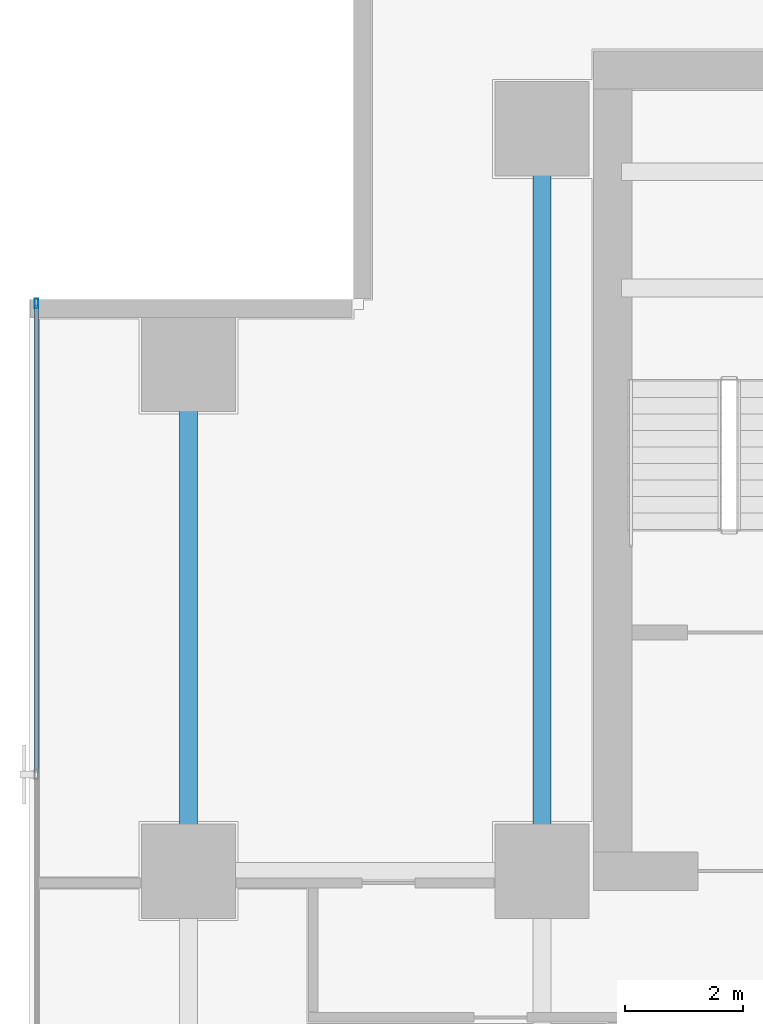
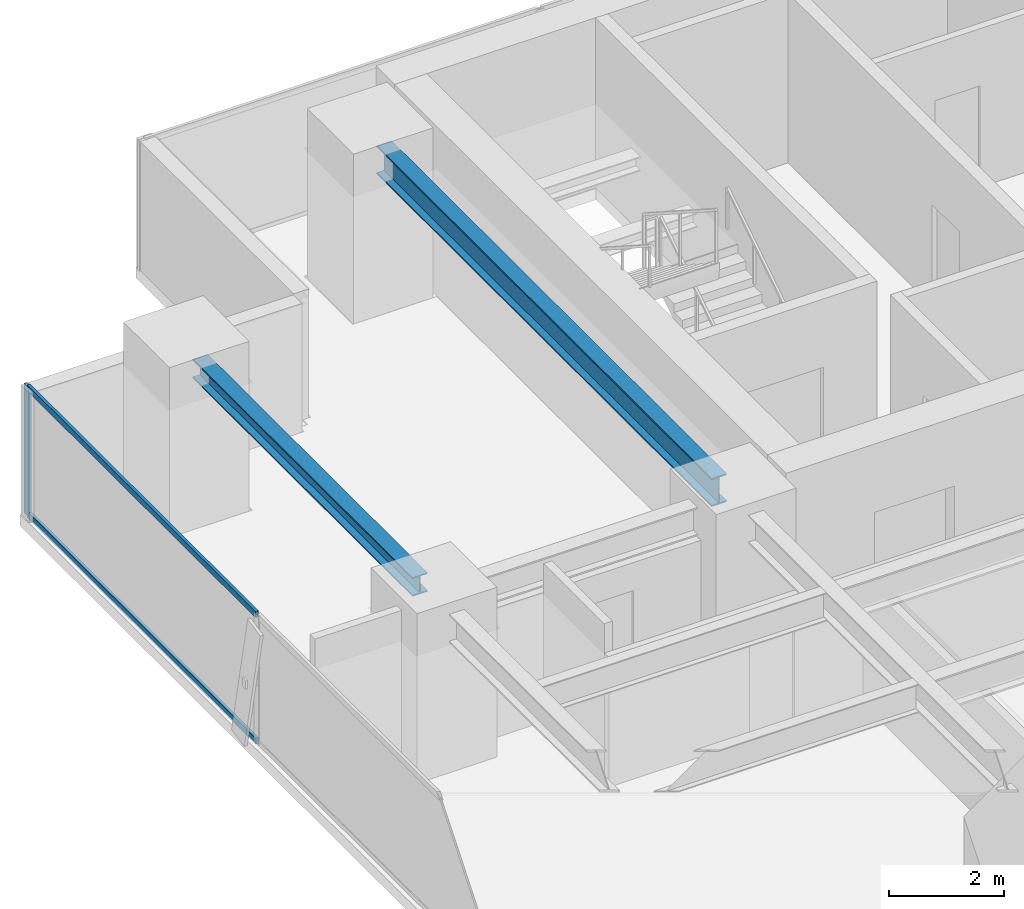
# One storey, part 18 of 34: 3 members, 2 beams, 1 element without a shape of its own.
"""IFC4 building model written with IfcOpenShell, lengths in metres."""

from ifc_helpers import new_model, si_unit, direction, frame, origin, origin_2d, place, context, subcontext, project, spatial, hollow_rectangle, i_section, extrude, source, transform, mapped, material, layer, layer_set, material_profile, profile_set, type_object, element, aggregate, save


model = new_model("IFC4")

# Units and contexts
model_context = context("Model", 3, precision=1e-05, world=origin(), true_north=direction((0.0, 1.0)))
body_context = subcontext(model_context, "Body", "Model", "MODEL_VIEW")
ifc_project = project(units=[si_unit("LENGTHUNIT", "METRE"), si_unit("AREAUNIT", "SQUARE_METRE"), si_unit("VOLUMEUNIT", "CUBIC_METRE"), si_unit("PLANEANGLEUNIT", "RADIAN"), si_unit("MASSUNIT", "GRAM", prefix="KILO")], contexts=[model_context])

# Site, building, storey
site_placement = place(None, origin())
site = spatial("IfcSite", under=ifc_project, at=site_placement, CompositionType="ELEMENT")
building_placement = place(site_placement, origin())
building = spatial("IfcBuilding", under=site, at=building_placement, Name="Sumidabori Civic Tower", CompositionType="ELEMENT")
storey_placement = place(building_placement, frame((0.0, 0.0, 106.39990234375)))
storey = spatial("IfcBuildingStorey", under=building, at=storey_placement, Name="L27", CompositionType="ELEMENT", Elevation=106.39990234375)

# Beams
ifc_material_1 = material(Name="Steel SN490", Category="steel")
ifc_material_profile_1 = material_profile(ifc_material_1, i_section(OverallWidth=0.300048828125, OverallDepth=0.39990234375, WebThickness=0.013427734375, FlangeThickness=0.02392578125, at=origin_2d()), Name="HE 400 B")
ifc_profile_set_1 = profile_set([ifc_material_profile_1], Name="Steel SN490")
beam_type_1 = type_object("IfcBeamType", Name="BM-GIRD-400", PredefinedType="BEAM", material=ifc_profile_set_1)
shared_shape_1 = source(origin(), body_context, "Body", "SweptSolid", [
    extrude(i_section(OverallWidth=0.300048828125, OverallDepth=0.39990234375, WebThickness=0.013427734375, FlangeThickness=0.02392578125, at=origin_2d()), origin(), (0.0, 0.0, 1.0), 7.64013671875),
])
beam_1_placement = place(storey_placement, frame((-22.800048828125, 10.679931640625, 3.16015625), z_axis=(0.0, 1.0, 0.0), x_axis=(-1.0, 0.0, 0.0)))
element("IfcBeam", 1, at=beam_1_placement, inside=storey, type_object=beam_type_1, Name="Primary Girder L27 GY-24", PredefinedType="BEAM", context=body_context, shape_type="MappedRepresentation", body=[
    mapped(shared_shape_1, transform((0.0, 0.0, 0.0), x_axis=(1.0, 0.0, 0.0), y_axis=(0.0, 1.0, 0.0), z_axis=(0.0, 0.0, 1.0), scale=1.0)),
])
ifc_material_profile_2 = material_profile(ifc_material_1, i_section(OverallWidth=0.300048828125, OverallDepth=0.60009765625, WebThickness=0.015380859375, FlangeThickness=0.030029296875, at=origin_2d()), Name="HE 600 B")
ifc_profile_set_2 = profile_set([ifc_material_profile_2], Name="Steel SN490")
beam_type_2 = type_object("IfcBeamType", Name="BM-GIRD-600", PredefinedType="BEAM", material=ifc_profile_set_2)
shared_shape_2 = source(origin(), body_context, "Body", "SweptSolid", [
    extrude(i_section(OverallWidth=0.300048828125, OverallDepth=0.60009765625, WebThickness=0.015380859375, FlangeThickness=0.030029296875, at=origin_2d()), origin(), (0.0, 0.0, 1.0), 11.64013671875),
])
beam_2_placement = place(storey_placement, frame((-16.800048828125, 10.679931640625, 3.06005859375), z_axis=(0.0, 1.0, 0.0), x_axis=(-1.0, 0.0, 0.0)))
element("IfcBeam", 2, at=beam_2_placement, inside=storey, type_object=beam_type_2, Name="Primary Girder L27 GY-28", PredefinedType="BEAM", context=body_context, shape_type="MappedRepresentation", body=[
    mapped(shared_shape_2, transform((0.0, 0.0, 0.0), x_axis=(1.0, 0.0, 0.0), y_axis=(0.0, 1.0, 0.0), z_axis=(0.0, 0.0, 1.0), scale=1.0)),
])

# Curtain wall, members
ifc_material_2 = material(Name="Anodised Bronze Aluminium AW-6063-T6", Category="aluminium")
ifc_layer = layer(ifc_material_2, 0.179931640625, Name="Anodised Bronze Aluminium AW-6063-T6")
ifc_layer_set = layer_set([ifc_layer], Name="Anodised Bronze Aluminium AW-6063-T6")
curtain_wall_type = type_object("IfcCurtainWallType", Name="CW-SYS-3", PredefinedType="NOTDEFINED", material=ifc_layer_set)
curtain_wall_placement = place(storey_placement, origin())
curtain_wall = element("IfcCurtainWall", 3, at=curtain_wall_placement, inside=storey, type_object=curtain_wall_type, Name="Curtain Wall CW:L27:R10", PredefinedType="NOTDEFINED")
ifc_material_profile_3 = material_profile(ifc_material_2, hollow_rectangle(XDim=0.06494140625, YDim=0.159912109375, WallThickness=0.0048828125, at=origin_2d()), Name="ALU MULLION 160x65")
ifc_profile_set_3 = profile_set([ifc_material_profile_3], Name="Anodised Bronze Aluminium AW-6063-T6")
member_type_1 = type_object("IfcMemberType", Name="CW-MUL-160", PredefinedType="MULLION", material=ifc_profile_set_3)
shared_shape_3 = source(origin(), body_context, "Body", "SweptSolid", [
    extrude(hollow_rectangle(XDim=0.06494140625, YDim=0.159912109375, WallThickness=0.0048828125, at=origin_2d()), origin(), (0.0, 0.0, 1.0), 2.739990234375),
])
member_1_placement = place(storey_placement, frame((-25.3798828125, 19.83740234375, 0.0), z_axis=(0.0, 0.0, 1.0), x_axis=(1.0, 0.0, 0.0)))
member_1 = element("IfcMember", 4, at=member_1_placement, type_object=member_type_1, Name="CW-3 mullion 1", PredefinedType="MULLION", context=body_context, shape_type="MappedRepresentation", body=[
    mapped(shared_shape_3, transform((0.0, 0.0, 0.0), x_axis=(1.0, 0.0, 0.0), y_axis=(0.0, 1.0, 0.0), z_axis=(0.0, 0.0, 1.0), scale=1.0)),
])
ifc_material_profile_4 = material_profile(ifc_material_2, hollow_rectangle(XDim=0.06005859375, YDim=0.1298828125, WallThickness=0.0048828125, at=origin_2d()), Name="ALU TRANSOM 130x60")
ifc_profile_set_4 = profile_set([ifc_material_profile_4], Name="Anodised Bronze Aluminium AW-6063-T6")
member_type_2 = type_object("IfcMemberType", Name="CW-TRN-130", PredefinedType="USERDEFINED", material=ifc_profile_set_4)
shared_shape_4 = source(origin(), body_context, "Body", "SweptSolid", [
    extrude(hollow_rectangle(XDim=0.06005859375, YDim=0.1298828125, WallThickness=0.0048828125, at=origin_2d()), origin(), (0.0, 0.0, 1.0), 7.930419921875),
])
member_2_placement = place(storey_placement, frame((-25.3798828125, 19.804931640625, 0.030029296875), z_axis=(0.0, -1.0, 0.0), x_axis=(1.0, 0.0, 0.0)))
member_2 = element("IfcMember", 5, at=member_2_placement, type_object=member_type_2, Name="CW-3 transom 1.1", ObjectType="TRANSOM", PredefinedType="USERDEFINED", context=body_context, shape_type="MappedRepresentation", body=[
    mapped(shared_shape_4, transform((0.0, 0.0, 0.0), x_axis=(1.0, 0.0, 0.0), y_axis=(0.0, 1.0, 0.0), z_axis=(0.0, 0.0, 1.0), scale=1.0)),
])
member_3_placement = place(storey_placement, frame((-25.3798828125, 19.804931640625, 2.710205078125), z_axis=(0.0, -1.0, 0.0), x_axis=(1.0, 0.0, 0.0)))
member_3 = element("IfcMember", 6, at=member_3_placement, type_object=member_type_2, Name="CW-3 transom 1.2", ObjectType="TRANSOM", PredefinedType="USERDEFINED", context=body_context, shape_type="MappedRepresentation", body=[
    mapped(shared_shape_4, transform((0.0, 0.0, 0.0), x_axis=(1.0, 0.0, 0.0), y_axis=(0.0, 1.0, 0.0), z_axis=(0.0, 0.0, 1.0), scale=1.0)),
])
aggregate(curtain_wall, [member_1, member_2, member_3])

save(model, "model.ifc")
